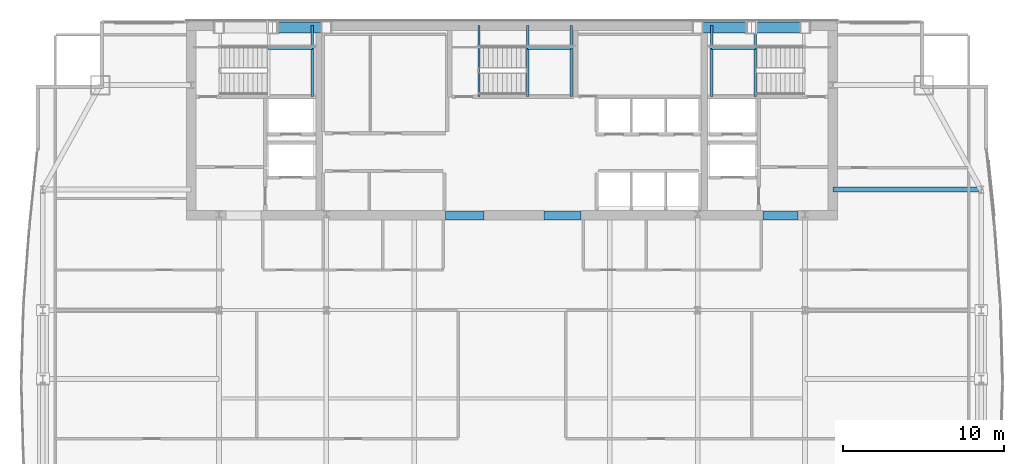
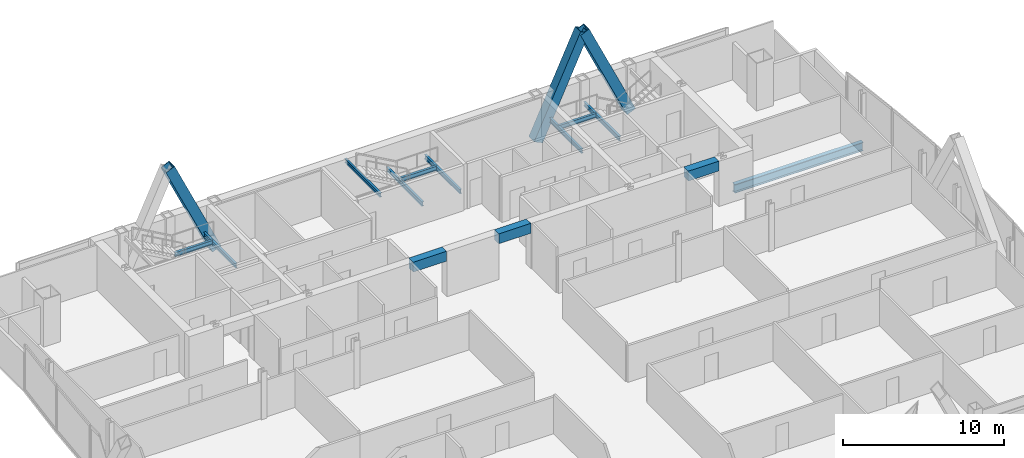
# One storey, part 24 of 32: 13 beams, 3 members.
"""IFC4 building model written with IfcOpenShell, lengths in metres."""

from ifc_helpers import new_model, si_unit, direction, frame, origin, origin_2d, place, context, subcontext, project, spatial, rectangle, hollow_rectangle, i_section, extrude, material, material_profile, profile_set, type_object, element, save


model = new_model("IFC4")

# Units and contexts
model_context = context("Model", 3, precision=1e-05, world=origin(), true_north=direction((0.0, 1.0)))
body_context = subcontext(model_context, "Body", "Model", "MODEL_VIEW")
ifc_project = project(units=[si_unit("LENGTHUNIT", "METRE"), si_unit("AREAUNIT", "SQUARE_METRE"), si_unit("VOLUMEUNIT", "CUBIC_METRE"), si_unit("PLANEANGLEUNIT", "RADIAN"), si_unit("MASSUNIT", "GRAM", prefix="KILO")], contexts=[model_context])

# Site, building, storey
site_placement = place(None, origin())
site = spatial("IfcSite", under=ifc_project, at=site_placement, CompositionType="ELEMENT")
building_placement = place(site_placement, origin())
building = spatial("IfcBuilding", under=site, at=building_placement, Name="Khoronbel Lancet Exchange", CompositionType="ELEMENT")
storey_placement = place(building_placement, frame((0.0, 0.0, 231.800048828125)))
storey = spatial("IfcBuildingStorey", under=building, at=storey_placement, Name="L59", CompositionType="ELEMENT", Elevation=231.800048828125)

# Beams
ifc_material_1 = material(Name="Steel S355", Category="steel")
ifc_material_profile_1 = material_profile(ifc_material_1, i_section(OverallWidth=0.300048828125, OverallDepth=0.64990234375, WebThickness=0.01611328125, FlangeThickness=0.031005859375, at=origin_2d()), Name="HEB 650")
ifc_profile_set_1 = profile_set([ifc_material_profile_1], Name="Steel S355")
beam_type_1 = type_object("IfcBeamType", Name="BM-BG4", PredefinedType="BEAM", material=ifc_profile_set_1)
beam_1_placement = place(storey_placement, frame((56.39990234375, 43.199951171875, -0.485107421875), z_axis=(1.0, 0.0, 0.0), x_axis=(0.0, 1.0, 0.0)))
element("IfcBeam", 1, at=beam_1_placement, inside=storey, type_object=beam_type_1, Name="Level L59 east lens tie girder LG3E", PredefinedType="BEAM", context=body_context, shape_type="SweptSolid", body=[
    extrude(i_section(OverallWidth=0.300048828125, OverallDepth=0.64990234375, WebThickness=0.01611328125, FlangeThickness=0.031005859375, at=origin_2d()), origin(), (0.0, 0.0, 1.0), 9.22998046875),
])
ifc_material_profile_2 = material_profile(ifc_material_1, i_section(OverallWidth=0.159912109375, OverallDepth=0.330078125, WebThickness=0.007568359375, FlangeThickness=0.011474609375, at=origin_2d()), Name="IPE 330")
ifc_profile_set_2 = profile_set([ifc_material_profile_2], Name="Steel S355")
beam_type_2 = type_object("IfcBeamType", Name="BM-BJ7", PredefinedType="JOIST", material=ifc_profile_set_2)
beam_2_placement = place(storey_placement, frame((24.030029296875, 48.97998046875, 1.43505859375), z_axis=(0.0, 1.0, 0.0), x_axis=(-1.0, 0.0, 0.0)))
element("IfcBeam", 2, at=beam_2_placement, inside=storey, type_object=beam_type_2, Name="Level L59 stair ST1 rear landing bearer beam 1", PredefinedType="JOIST", context=body_context, shape_type="SweptSolid", body=[
    extrude(i_section(OverallWidth=0.159912109375, OverallDepth=0.330078125, WebThickness=0.007568359375, FlangeThickness=0.011474609375, at=origin_2d()), origin(), (0.0, 0.0, 1.0), 4.419921875),
])
beam_3_placement = place(storey_placement, frame((21.320068359375, 51.97998046875, 1.43505859375), z_axis=(1.0, 0.0, 0.0), x_axis=(0.0, 1.0, 0.0)))
element("IfcBeam", 3, at=beam_3_placement, inside=storey, type_object=beam_type_2, Name="Level L59 stair ST1 landing cross trimmer beam 1", PredefinedType="JOIST", context=body_context, shape_type="SweptSolid", body=[
    extrude(i_section(OverallWidth=0.159912109375, OverallDepth=0.330078125, WebThickness=0.007568359375, FlangeThickness=0.011474609375, at=origin_2d()), origin(), (0.0, 0.0, 1.0), 2.7099609375),
])
for number, where, z_axis, x_axis, name in (
    (4, (51.580078125, 48.97998046875, 1.43505859375), (0.0, 1.0, 0.0), (-1.0, 0.0, 0.0), "Level L59 stair ST2 landing bearer beam 1"),
    (5, (48.8701171875, 48.97998046875, 1.43505859375), (0.0, 1.0, 0.0), (-1.0, 0.0, 0.0), "Level L59 stair ST2 rear landing bearer beam 1"),
):
    element("IfcBeam", number, at=place(storey_placement, frame(where, z_axis=z_axis, x_axis=x_axis)), inside=storey, type_object=beam_type_2, Name=name, PredefinedType="JOIST", context=body_context, shape_type="SweptSolid", body=[
        extrude(i_section(OverallWidth=0.159912109375, OverallDepth=0.330078125, WebThickness=0.007568359375, FlangeThickness=0.011474609375, at=origin_2d()), origin(), (0.0, 0.0, 1.0), 4.419921875),
    ])
beam_4_placement = place(storey_placement, frame((48.8701171875, 51.97998046875, 1.43505859375), z_axis=(1.0, 0.0, 0.0), x_axis=(0.0, 1.0, 0.0)))
element("IfcBeam", 6, at=beam_4_placement, inside=storey, type_object=beam_type_2, Name="Level L59 stair ST2 landing cross trimmer beam 1", PredefinedType="JOIST", context=body_context, shape_type="SweptSolid", body=[
    extrude(i_section(OverallWidth=0.159912109375, OverallDepth=0.330078125, WebThickness=0.007568359375, FlangeThickness=0.011474609375, at=origin_2d()), origin(), (0.0, 0.0, 1.0), 2.7099609375),
])
for number, where, z_axis, x_axis, name in (
    (7, (37.419921875, 48.97998046875, 1.43505859375), (0.0, 1.0, 0.0), (-1.0, 0.0, 0.0), "Level L59 stair ST3 landing bearer beam 1"),
    (8, (40.1298828125, 48.97998046875, 1.43505859375), (0.0, 1.0, 0.0), (-1.0, 0.0, 0.0), "Level L59 stair ST3 rear landing bearer beam 1"),
):
    element("IfcBeam", number, at=place(storey_placement, frame(where, z_axis=z_axis, x_axis=x_axis)), inside=storey, type_object=beam_type_2, Name=name, PredefinedType="JOIST", context=body_context, shape_type="SweptSolid", body=[
        extrude(i_section(OverallWidth=0.159912109375, OverallDepth=0.330078125, WebThickness=0.007568359375, FlangeThickness=0.011474609375, at=origin_2d()), origin(), (0.0, 0.0, 1.0), 4.419921875),
    ])
beam_5_placement = place(storey_placement, frame((37.419921875, 51.97998046875, 1.43505859375), z_axis=(1.0, 0.0, 0.0), x_axis=(0.0, 1.0, 0.0)))
element("IfcBeam", 9, at=beam_5_placement, inside=storey, type_object=beam_type_2, Name="Level L59 stair ST3 landing cross trimmer beam 1", PredefinedType="JOIST", context=body_context, shape_type="SweptSolid", body=[
    extrude(i_section(OverallWidth=0.159912109375, OverallDepth=0.330078125, WebThickness=0.007568359375, FlangeThickness=0.011474609375, at=origin_2d()), origin(), (0.0, 0.0, 1.0), 2.7099609375),
])
ifc_material_profile_3 = material_profile(ifc_material_1, i_section(OverallWidth=0.14990234375, OverallDepth=0.300048828125, WebThickness=0.007080078125, FlangeThickness=0.0107421875, at=origin_2d()), Name="IPE 300")
ifc_profile_set_3 = profile_set([ifc_material_profile_3], Name="Steel S355")
beam_type_3 = type_object("IfcBeamType", Name="BM-BJ8", PredefinedType="JOIST", material=ifc_profile_set_3)
beam_6_placement = place(storey_placement, frame((34.39990234375, 48.97998046875, 3.159912109375), z_axis=(0.0, 1.0, 0.0), x_axis=(-1.0, 0.0, 0.0)))
element("IfcBeam", 10, at=beam_6_placement, inside=storey, type_object=beam_type_3, Name="Level L59 stair ST3 upper-flight arrival trimmer beam", PredefinedType="JOIST", context=body_context, shape_type="SweptSolid", body=[
    extrude(i_section(OverallWidth=0.14990234375, OverallDepth=0.300048828125, WebThickness=0.007080078125, FlangeThickness=0.0107421875, at=origin_2d()), origin(), (0.0, 0.0, 1.0), 4.419921875),
])
ifc_material_2 = material(Name="Concrete C60/75", Category="concrete")
ifc_material_profile_4 = material_profile(ifc_material_2, rectangle(XDim=0.550048828125, YDim=0.75, at=origin_2d()), Name="RC 550x750")
ifc_profile_set_4 = profile_set([ifc_material_profile_4], Name="Concrete C60/75")
beam_type_4 = type_object("IfcBeamType", Name="BM-BL2", PredefinedType="LINTEL", material=ifc_profile_set_4)
beam_7_placement = place(storey_placement, frame((32.300048828125, 41.60009765625, 3.06494140625), z_axis=(1.0, 0.0, 0.0), x_axis=(0.0, 1.0, 0.0)))
element("IfcBeam", 11, at=beam_7_placement, inside=storey, type_object=beam_type_4, Name="Level L59 rear core coupling lintel L2", PredefinedType="LINTEL", context=body_context, shape_type="SweptSolid", body=[
    extrude(rectangle(XDim=0.550048828125, YDim=0.75, at=origin_2d()), origin(), (0.0, 0.0, 1.0), 2.39990234375),
])
beam_8_placement = place(storey_placement, frame((38.449951171875, 41.60009765625, 3.06494140625), z_axis=(1.0, 0.0, 0.0), x_axis=(0.0, 1.0, 0.0)))
element("IfcBeam", 12, at=beam_8_placement, inside=storey, type_object=beam_type_4, Name="Level L59 rear core coupling lintel L3", PredefinedType="LINTEL", context=body_context, shape_type="SweptSolid", body=[
    extrude(rectangle(XDim=0.550048828125, YDim=0.75, at=origin_2d()), origin(), (0.0, 0.0, 1.0), 2.300048828125),
])
beam_9_placement = place(storey_placement, frame((52.050048828125, 41.60009765625, 3.06494140625), z_axis=(1.0, 0.0, 0.0), x_axis=(0.0, 1.0, 0.0)))
element("IfcBeam", 13, at=beam_9_placement, inside=storey, type_object=beam_type_4, Name="Level L59 rear core coupling lintel L4", PredefinedType="LINTEL", context=body_context, shape_type="SweptSolid", body=[
    extrude(rectangle(XDim=0.550048828125, YDim=0.75, at=origin_2d()), origin(), (0.0, 0.0, 1.0), 2.199951171875),
])

# Members
ifc_material_3 = material(Name="Steel S460", Category="steel")
ifc_material_profile_5 = material_profile(ifc_material_3, hollow_rectangle(XDim=0.679931640625, YDim=0.679931640625, WallThickness=0.044921875, at=origin_2d()), Name="BOX 680x680x45")
ifc_profile_set_5 = profile_set([ifc_material_profile_5], Name="Steel S460")
member_type = type_object("IfcMemberType", Name="MEM-MB3", PredefinedType="BRACE", material=ifc_profile_set_5)
for number, where, z_axis, x_axis, name in (
    (14, (24.89990234375, 53.280029296875, 0.0), (-0.420548106082, 0.0, 0.907270241147), (0.0, -1.0, 0.0), "Perimeter lancet brace tier 20 N-W-R"),
    (15, (48.0, 53.280029296875, 0.0), (0.420548106082, 0.0, 0.907270241147), (0.0, 1.0, 0.0), "Perimeter lancet brace tier 20 N-E-L"),
):
    element("IfcMember", number, at=place(storey_placement, frame(where, z_axis=z_axis, x_axis=x_axis)), inside=storey, type_object=member_type, Name=name, PredefinedType="BRACE", context=body_context, shape_type="SweptSolid", body=[
        extrude(hollow_rectangle(XDim=0.679931640625, YDim=0.679931640625, WallThickness=0.044921875, at=origin_2d()), origin(), (0.0, 0.0, 1.0), 7.935791015625),
    ])
member_placement = place(storey_placement, frame((54.675048828125, 53.280029296875, 0.0), z_axis=(-0.420573428903, 0.0, 0.907258502799), x_axis=(0.0, -1.0, 0.0)))
element("IfcMember", 16, at=member_placement, inside=storey, type_object=member_type, Name="Perimeter lancet brace tier 20 N-E-R", PredefinedType="BRACE", context=body_context, shape_type="SweptSolid", body=[
    extrude(hollow_rectangle(XDim=0.679931640625, YDim=0.679931640625, WallThickness=0.044921875, at=origin_2d()), origin(), (0.0, 0.0, 1.0), 7.93603515625),
])

save(model, "model.ifc")
